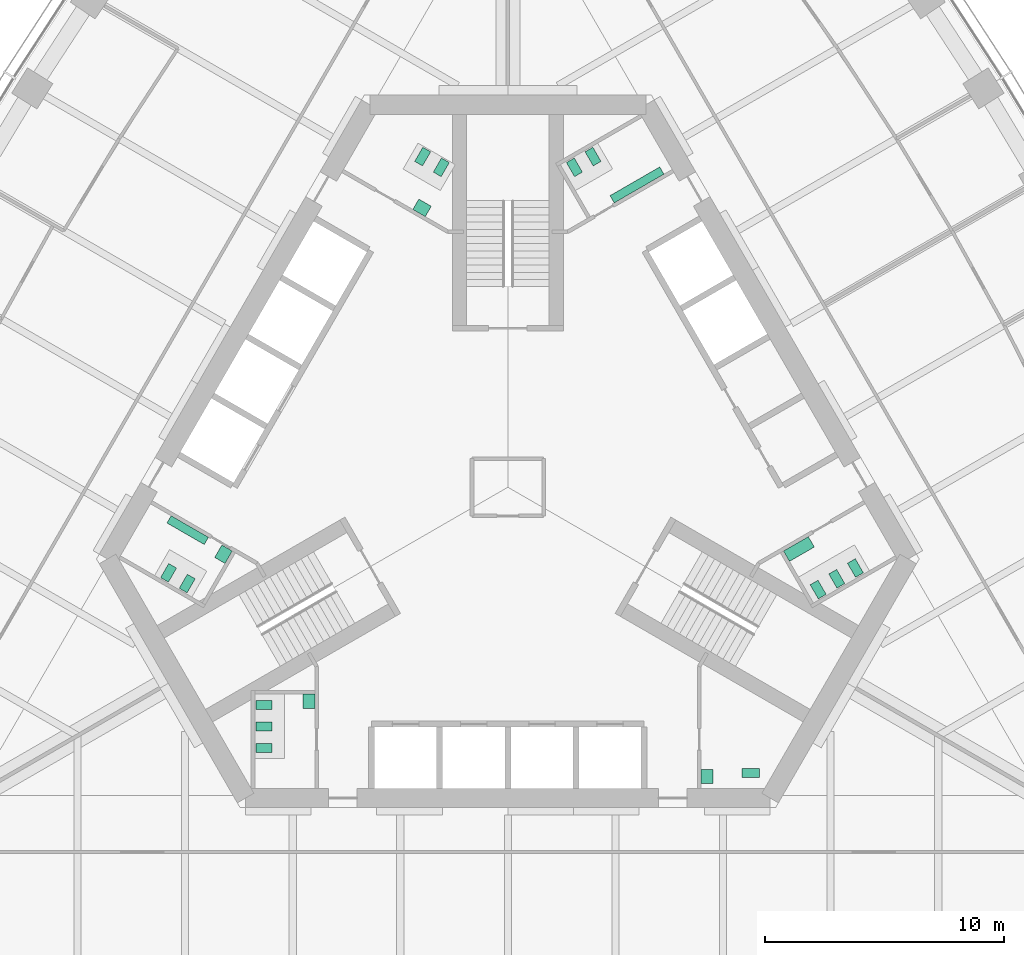
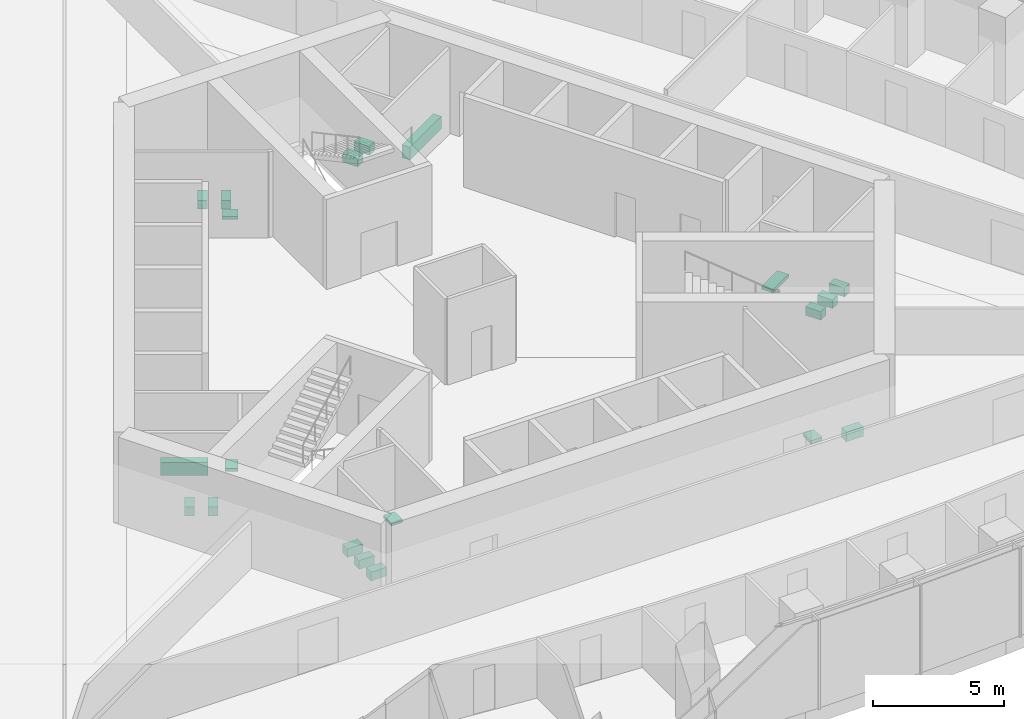
# One storey, part 20 of 21: 20 sanitary terminals.
"""IFC4 building model written with IfcOpenShell, lengths in metres."""

from ifc_helpers import new_model, si_unit, direction, frame, origin, place, context, subcontext, project, spatial, polyline, outline, extrude, material, type_object, element, save


model = new_model("IFC4")

# Units and contexts
model_context = context("Model", 3, precision=1e-05, world=origin(), true_north=direction((0.0, 1.0)))
body_context = subcontext(model_context, "Body", "Model", "MODEL_VIEW")
ifc_project = project(units=[si_unit("LENGTHUNIT", "METRE"), si_unit("AREAUNIT", "SQUARE_METRE"), si_unit("VOLUMEUNIT", "CUBIC_METRE"), si_unit("PLANEANGLEUNIT", "RADIAN"), si_unit("MASSUNIT", "GRAM", prefix="KILO")], contexts=[model_context])

# Site, building, storey
site_placement = place(None, origin())
site = spatial("IfcSite", under=ifc_project, at=site_placement, CompositionType="ELEMENT")
building_placement = place(site_placement, origin())
building = spatial("IfcBuilding", under=site, at=building_placement, Name="Trefoil Bronze Tower", CompositionType="ELEMENT")
storey_placement = place(building_placement, frame((0.0, 0.0, 145.10009765625)))
storey = spatial("IfcBuildingStorey", under=building, at=storey_placement, Name="L33", CompositionType="ELEMENT", Elevation=145.10009765625)

# Sanitary terminals
ifc_material_1 = material(Name="Vitreous china", Category="ceramic")
sanitary_terminal_type_1 = type_object("IfcSanitaryTerminalType", Name="Accessible WC pan", PredefinedType="TOILETPAN", material=ifc_material_1)
sanitary_terminal_1_placement = place(storey_placement, origin())
element("IfcSanitaryTerminal", 1, at=sanitary_terminal_1_placement, inside=storey, type_object=sanitary_terminal_type_1, Name="WC pan 1 Accessible WC L33", PredefinedType="TOILETPAN", context=body_context, shape_type="SweptSolid", body=[
    extrude(outline(polyline([(9.784912109375, -11.77001953125), (10.534912109375, -11.77001953125), (10.534912109375, -12.14990234375), (9.784912109375, -12.14990234375), (9.784912109375, -11.77001953125)])), origin(), (0.0, 0.0, 1.0), 0.449951171875),
])
ifc_material_2 = material(Name="Vitreous china", Category="ceramic")
sanitary_terminal_type_2 = type_object("IfcSanitaryTerminalType", Name="Accessible basin", PredefinedType="WASHHANDBASIN", material=ifc_material_2)
sanitary_terminal_2_placement = place(storey_placement, frame((0.0, 0.0, 0.64990234375)))
element("IfcSanitaryTerminal", 2, at=sanitary_terminal_2_placement, inside=storey, type_object=sanitary_terminal_type_2, Name="Wash basin Accessible WC L33", PredefinedType="WASHHANDBASIN", context=body_context, shape_type="SweptSolid", body=[
    extrude(outline(polyline([(8.074951171875, -11.800048828125), (8.574951171875, -11.800048828125), (8.574951171875, -12.39990234375), (8.074951171875, -12.39990234375), (8.074951171875, -11.800048828125)])), origin(), (0.0, 0.0, 1.0), 0.14990234375),
])
ifc_material_3 = material(Name="Vitreous china", Category="ceramic")
sanitary_terminal_type_3 = type_object("IfcSanitaryTerminalType", Name="Urinal range 3 urinals", PredefinedType="URINAL", material=ifc_material_3)
sanitary_terminal_3_placement = place(storey_placement, frame((0.0, 0.0, 0.39990234375)))
element("IfcSanitaryTerminal", 3, at=sanitary_terminal_3_placement, inside=storey, type_object=sanitary_terminal_type_3, Name="Urinal range WC (men) L33", PredefinedType="URINAL", context=body_context, shape_type="SweptSolid", body=[
    extrude(outline(polyline([(-12.524658203125, -2.09326171875), (-12.699462890625, -2.396240234375), (-14.25830078125, -1.496337890625), (-14.08349609375, -1.193115234375), (-12.524658203125, -2.09326171875)])), origin(), (0.0, 0.0, 1.0), 0.60009765625),
])
ifc_material_4 = material(Name="Vitreous china", Category="ceramic")
sanitary_terminal_type_4 = type_object("IfcSanitaryTerminalType", Name="Urinal range 4 urinals", PredefinedType="URINAL", material=ifc_material_4)
sanitary_terminal_4_placement = place(storey_placement, frame((0.0, 0.0, 0.39990234375)))
element("IfcSanitaryTerminal", 4, at=sanitary_terminal_4_placement, inside=storey, type_object=sanitary_terminal_type_4, Name="Urinal range WC (men) L33", PredefinedType="URINAL", context=body_context, shape_type="SweptSolid", body=[
    extrude(outline(polyline([(4.449462890625, 11.89306640625), (4.274658203125, 12.1962890625), (6.35302734375, 13.396240234375), (6.528076171875, 13.09326171875), (4.449462890625, 11.89306640625)])), origin(), (0.0, 0.0, 1.0), 0.60009765625),
])
ifc_material_5 = material(Name="Solid surface vanity", Category="plastic")
sanitary_terminal_type_5 = type_object("IfcSanitaryTerminalType", Name="Vanity unit 1 basins", PredefinedType="WASHHANDBASIN", material=ifc_material_5)
sanitary_terminal_5_placement = place(storey_placement, frame((0.0, 0.0, 0.75)))
element("IfcSanitaryTerminal", 5, at=sanitary_terminal_5_placement, inside=storey, type_object=sanitary_terminal_type_5, Name="Vanity unit WC (women) L33", PredefinedType="WASHHANDBASIN", context=body_context, shape_type="SweptSolid", body=[
    extrude(outline(polyline([(-3.45361328125, 11.318115234375), (-3.20361328125, 11.751220703125), (-3.72314453125, 12.05126953125), (-3.97314453125, 11.6181640625), (-3.45361328125, 11.318115234375)])), origin(), (0.0, 0.0, 1.0), 0.14990234375),
])
sanitary_terminal_6_placement = place(storey_placement, frame((0.0, 0.0, 0.75)))
element("IfcSanitaryTerminal", 6, at=sanitary_terminal_6_placement, inside=storey, type_object=sanitary_terminal_type_5, Name="Vanity unit WC (men) L33", PredefinedType="WASHHANDBASIN", context=body_context, shape_type="SweptSolid", body=[
    extrude(outline(polyline([(-11.528564453125, -2.668212890625), (-11.82861328125, -3.187744140625), (-12.26171875, -2.937744140625), (-11.961669921875, -2.418212890625), (-11.528564453125, -2.668212890625)])), origin(), (0.0, 0.0, 1.0), 0.14990234375),
])
sanitary_terminal_7_placement = place(storey_placement, frame((0.0, 0.0, 0.75)))
element("IfcSanitaryTerminal", 7, at=sanitary_terminal_7_placement, inside=storey, type_object=sanitary_terminal_type_5, Name="Vanity unit WC (women) L33", PredefinedType="WASHHANDBASIN", context=body_context, shape_type="SweptSolid", body=[
    extrude(outline(polyline([(-8.074951171875, -8.64990234375), (-8.574951171875, -8.64990234375), (-8.574951171875, -9.25), (-8.074951171875, -9.25), (-8.074951171875, -8.64990234375)])), origin(), (0.0, 0.0, 1.0), 0.14990234375),
])
ifc_material_6 = material(Name="Solid surface vanity", Category="plastic")
sanitary_terminal_type_6 = type_object("IfcSanitaryTerminalType", Name="Vanity unit 2 basins", PredefinedType="WASHHANDBASIN", material=ifc_material_6)
sanitary_terminal_8_placement = place(storey_placement, frame((0.0, 0.0, 0.75)))
element("IfcSanitaryTerminal", 8, at=sanitary_terminal_8_placement, inside=storey, type_object=sanitary_terminal_type_6, Name="Vanity unit WC (women) L33", PredefinedType="WASHHANDBASIN", context=body_context, shape_type="SweptSolid", body=[
    extrude(outline(polyline([(11.528564453125, -2.668212890625), (11.778564453125, -3.10107421875), (12.81787109375, -2.501220703125), (12.56787109375, -2.068115234375), (11.528564453125, -2.668212890625)])), origin(), (0.0, 0.0, 1.0), 0.14990234375),
])
ifc_material_7 = material(Name="Vitreous china", Category="ceramic")
sanitary_terminal_type_7 = type_object("IfcSanitaryTerminalType", Name="WC pan", PredefinedType="TOILETPAN", material=ifc_material_7)
sanitary_terminal_9_placement = place(storey_placement, origin())
element("IfcSanitaryTerminal", 9, at=sanitary_terminal_9_placement, inside=storey, type_object=sanitary_terminal_type_7, Name="WC pan 1 WC (women) L33", PredefinedType="TOILETPAN", context=body_context, shape_type="SweptSolid", body=[
    extrude(outline(polyline([(12.643798828125, -4.07958984375), (12.98388671875, -4.66845703125), (13.31298828125, -4.478515625), (12.972900390625, -3.8896484375), (12.643798828125, -4.07958984375)])), origin(), (0.0, 0.0, 1.0), 0.39990234375),
])
sanitary_terminal_10_placement = place(storey_placement, origin())
element("IfcSanitaryTerminal", 10, at=sanitary_terminal_10_placement, inside=storey, type_object=sanitary_terminal_type_7, Name="WC pan 2 WC (women) L33", PredefinedType="TOILETPAN", context=body_context, shape_type="SweptSolid", body=[
    extrude(outline(polyline([(13.423095703125, -3.629638671875), (13.76318359375, -4.218505859375), (14.09228515625, -4.028564453125), (13.752197265625, -3.439697265625), (13.423095703125, -3.629638671875)])), origin(), (0.0, 0.0, 1.0), 0.39990234375),
])
sanitary_terminal_11_placement = place(storey_placement, origin())
element("IfcSanitaryTerminal", 11, at=sanitary_terminal_11_placement, inside=storey, type_object=sanitary_terminal_type_7, Name="WC pan 3 WC (women) L33", PredefinedType="TOILETPAN", context=body_context, shape_type="SweptSolid", body=[
    extrude(outline(polyline([(14.20263671875, -3.1796875), (14.542724609375, -3.7685546875), (14.871826171875, -3.57861328125), (14.53173828125, -2.98974609375), (14.20263671875, -3.1796875)])), origin(), (0.0, 0.0, 1.0), 0.39990234375),
])
sanitary_terminal_12_placement = place(storey_placement, origin())
element("IfcSanitaryTerminal", 12, at=sanitary_terminal_12_placement, inside=storey, type_object=sanitary_terminal_type_7, Name="WC pan 1 WC (men) L33", PredefinedType="TOILETPAN", context=body_context, shape_type="SweptSolid", body=[
    extrude(outline(polyline([(2.788818359375, 12.98974609375), (2.44873046875, 13.57861328125), (2.77783203125, 13.7685546875), (3.117919921875, 13.1796875), (2.788818359375, 12.98974609375)])), origin(), (0.0, 0.0, 1.0), 0.39990234375),
])
sanitary_terminal_13_placement = place(storey_placement, origin())
element("IfcSanitaryTerminal", 13, at=sanitary_terminal_13_placement, inside=storey, type_object=sanitary_terminal_type_7, Name="WC pan 2 WC (men) L33", PredefinedType="TOILETPAN", context=body_context, shape_type="SweptSolid", body=[
    extrude(outline(polyline([(3.568115234375, 13.439697265625), (3.228271484375, 14.028564453125), (3.557373046875, 14.218505859375), (3.897216796875, 13.629638671875), (3.568115234375, 13.439697265625)])), origin(), (0.0, 0.0, 1.0), 0.39990234375),
])
sanitary_terminal_14_placement = place(storey_placement, origin())
element("IfcSanitaryTerminal", 14, at=sanitary_terminal_14_placement, inside=storey, type_object=sanitary_terminal_type_7, Name="WC pan 1 WC (women) L33", PredefinedType="TOILETPAN", context=body_context, shape_type="SweptSolid", body=[
    extrude(outline(polyline([(-2.788818359375, 12.98974609375), (-2.44873046875, 13.57861328125), (-2.77783203125, 13.7685546875), (-3.117919921875, 13.1796875), (-2.788818359375, 12.98974609375)])), origin(), (0.0, 0.0, 1.0), 0.39990234375),
])
sanitary_terminal_15_placement = place(storey_placement, origin())
element("IfcSanitaryTerminal", 15, at=sanitary_terminal_15_placement, inside=storey, type_object=sanitary_terminal_type_7, Name="WC pan 2 WC (women) L33", PredefinedType="TOILETPAN", context=body_context, shape_type="SweptSolid", body=[
    extrude(outline(polyline([(-3.568115234375, 13.439697265625), (-3.228271484375, 14.028564453125), (-3.557373046875, 14.218505859375), (-3.897216796875, 13.629638671875), (-3.568115234375, 13.439697265625)])), origin(), (0.0, 0.0, 1.0), 0.39990234375),
])
sanitary_terminal_16_placement = place(storey_placement, origin())
element("IfcSanitaryTerminal", 16, at=sanitary_terminal_16_placement, inside=storey, type_object=sanitary_terminal_type_7, Name="WC pan 1 WC (men) L33", PredefinedType="TOILETPAN", context=body_context, shape_type="SweptSolid", body=[
    extrude(outline(polyline([(-13.076904296875, -3.82958984375), (-13.416748046875, -4.41845703125), (-13.745849609375, -4.228515625), (-13.406005859375, -3.6396484375), (-13.076904296875, -3.82958984375)])), origin(), (0.0, 0.0, 1.0), 0.39990234375),
])
sanitary_terminal_17_placement = place(storey_placement, origin())
element("IfcSanitaryTerminal", 17, at=sanitary_terminal_17_placement, inside=storey, type_object=sanitary_terminal_type_7, Name="WC pan 2 WC (men) L33", PredefinedType="TOILETPAN", context=body_context, shape_type="SweptSolid", body=[
    extrude(outline(polyline([(-13.856201171875, -3.379638671875), (-14.1962890625, -3.968505859375), (-14.525390625, -3.778564453125), (-14.185302734375, -3.189697265625), (-13.856201171875, -3.379638671875)])), origin(), (0.0, 0.0, 1.0), 0.39990234375),
])
sanitary_terminal_18_placement = place(storey_placement, origin())
element("IfcSanitaryTerminal", 18, at=sanitary_terminal_18_placement, inside=storey, type_object=sanitary_terminal_type_7, Name="WC pan 1 WC (women) L33", PredefinedType="TOILETPAN", context=body_context, shape_type="SweptSolid", body=[
    extrude(outline(polyline([(-9.85498046875, -8.909912109375), (-10.534912109375, -8.909912109375), (-10.534912109375, -9.2900390625), (-9.85498046875, -9.2900390625), (-9.85498046875, -8.909912109375)])), origin(), (0.0, 0.0, 1.0), 0.39990234375),
])
sanitary_terminal_19_placement = place(storey_placement, origin())
element("IfcSanitaryTerminal", 19, at=sanitary_terminal_19_placement, inside=storey, type_object=sanitary_terminal_type_7, Name="WC pan 2 WC (women) L33", PredefinedType="TOILETPAN", context=body_context, shape_type="SweptSolid", body=[
    extrude(outline(polyline([(-9.85498046875, -9.81005859375), (-10.534912109375, -9.81005859375), (-10.534912109375, -10.18994140625), (-9.85498046875, -10.18994140625), (-9.85498046875, -9.81005859375)])), origin(), (0.0, 0.0, 1.0), 0.39990234375),
])
sanitary_terminal_20_placement = place(storey_placement, origin())
element("IfcSanitaryTerminal", 20, at=sanitary_terminal_20_placement, inside=storey, type_object=sanitary_terminal_type_7, Name="WC pan 3 WC (women) L33", PredefinedType="TOILETPAN", context=body_context, shape_type="SweptSolid", body=[
    extrude(outline(polyline([(-9.85498046875, -10.7099609375), (-10.534912109375, -10.7099609375), (-10.534912109375, -11.090087890625), (-9.85498046875, -11.090087890625), (-9.85498046875, -10.7099609375)])), origin(), (0.0, 0.0, 1.0), 0.39990234375),
])

save(model, "model.ifc")
